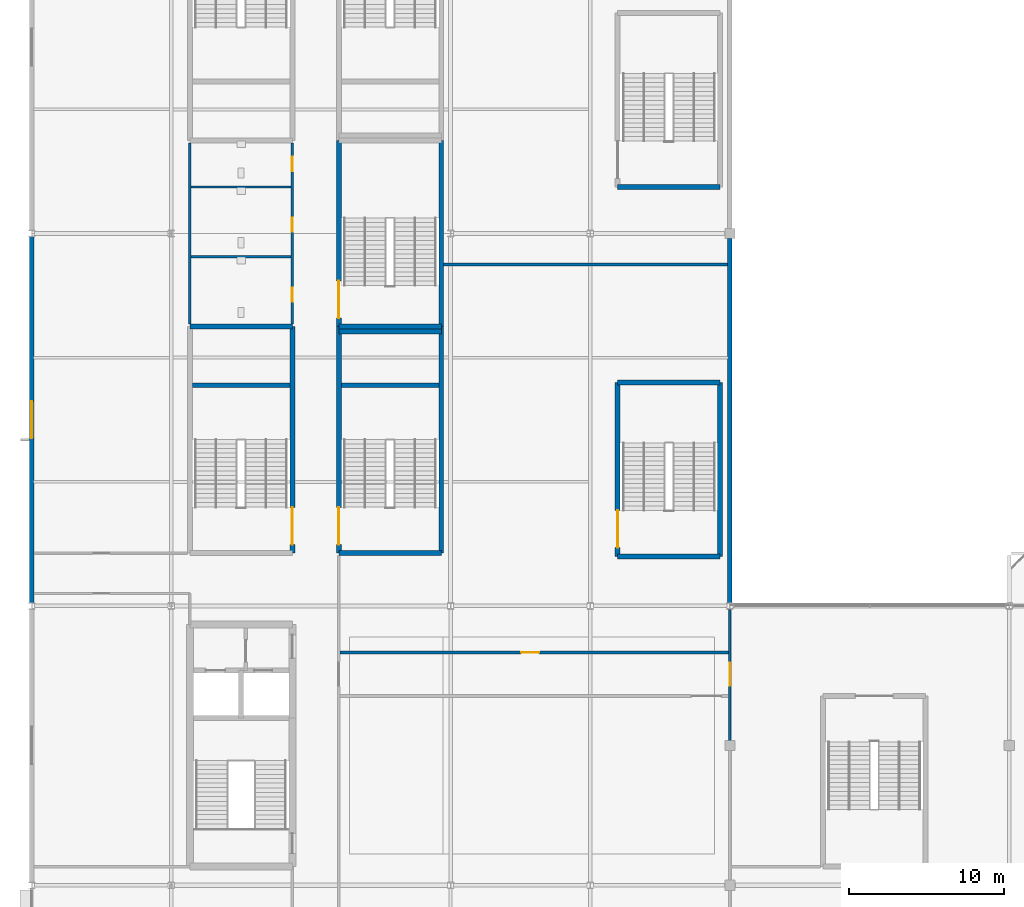
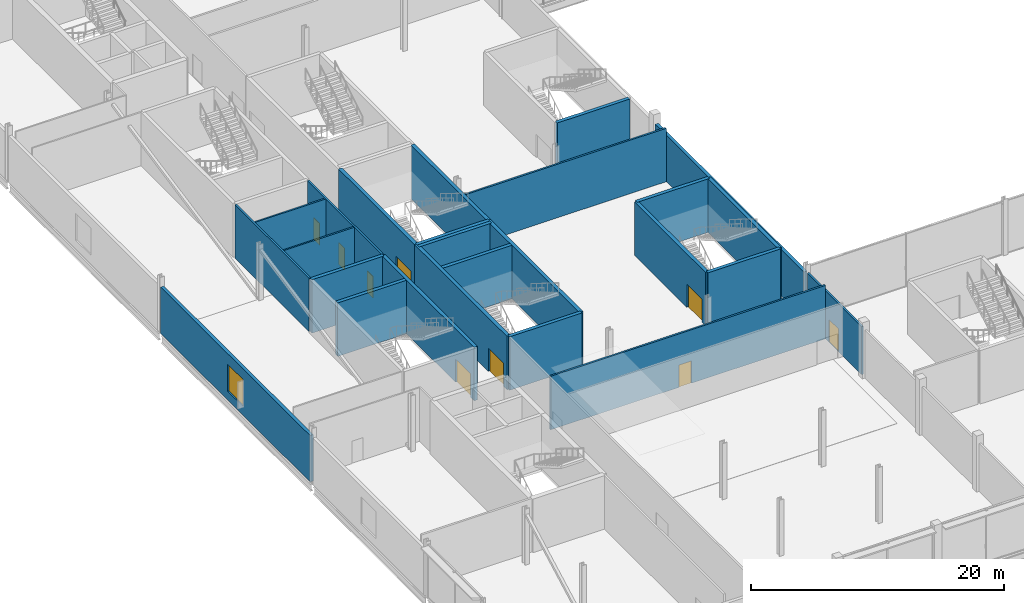
# One storey, part 64 of 113: 25 walls, 9 doors, 1 window, 10 openings.
"""IFC4 building model written with IfcOpenShell, lengths in metres."""

from ifc_helpers import new_model, si_unit, direction, frame, frame_2d, origin, place, context, subcontext, project, spatial, rectangle, extrude, material, layer, layer_set, type_object, element, fill, save


model = new_model("IFC4")

# Units and contexts
model_context = context("Model", 3, precision=1e-05, world=origin(), true_north=direction((0.0, 1.0)))
body_context = subcontext(model_context, "Body", "Model", "MODEL_VIEW")
ifc_project = project(units=[si_unit("LENGTHUNIT", "METRE"), si_unit("AREAUNIT", "SQUARE_METRE"), si_unit("VOLUMEUNIT", "CUBIC_METRE"), si_unit("PLANEANGLEUNIT", "RADIAN"), si_unit("MASSUNIT", "GRAM", prefix="KILO")], contexts=[model_context])

# Site, building, storey
site_placement = place(None, origin())
site = spatial("IfcSite", under=ifc_project, at=site_placement, CompositionType="ELEMENT")
building_placement = place(site_placement, origin())
building = spatial("IfcBuilding", under=site, at=building_placement, Name="Kisiwana Market Hall", CompositionType="ELEMENT")
storey_placement = place(building_placement, frame((0.0, 0.0, 6.0)))
storey = spatial("IfcBuildingStorey", under=building, at=storey_placement, Name="L01", CompositionType="ELEMENT", Elevation=6.0)

# Wall
ifc_material_1 = material(Name="Concrete C40/50", Category="concrete")
ifc_layer_1 = layer(ifc_material_1, 0.320068359375, Name="Reinforced concrete shaft wall")
ifc_layer_set_1 = layer_set([ifc_layer_1], Name="WL-CORE-320")
wall_type_1 = type_object("IfcWallType", Name="WL-CORE-320", PredefinedType="SHEAR", material=ifc_layer_set_1)
wall_1_placement = place(storey_placement, frame((10.199951171875, 54.0, 0.0), z_axis=(0.0, 0.0, 1.0), x_axis=(1.0, 0.0, 0.0)))
element("IfcWall", 1, at=wall_1_placement, inside=storey, type_object=wall_type_1, Name="Core W3 north shear wall W-0731", PredefinedType="SHEAR", context=body_context, shape_type="SweptSolid", body=[
    extrude(rectangle(XDim=6.60009765625, YDim=0.320068359375, at=frame_2d((3.300048828125, 0.0))), origin(), (0.0, 0.0, 1.0), 5.14990234375),
])

# Wall, opening, door
wall_2_placement = place(storey_placement, frame((16.800048828125, 39.39990234375, 0.0), z_axis=(0.0, 0.0, 1.0), x_axis=(0.0, 1.0, 0.0)))
wall_2 = element("IfcWall", 2, at=wall_2_placement, inside=storey, type_object=wall_type_1, Name="Core W3 corridor shear wall W-0733", PredefinedType="SHEAR", context=body_context, shape_type="SweptSolid", body=[
    extrude(rectangle(XDim=14.60009765625, YDim=0.320068359375, at=frame_2d((7.300048828125, 0.0))), origin(), (0.0, 0.0, 1.0), 5.14990234375),
])
opening_1_placement = place(wall_2_placement, frame((0.550048828125, 0.0, 0.0)))
opening_1 = element("IfcOpeningElement", 3, at=opening_1_placement, cuts=wall_2, Name="Opening DR-L01-019", PredefinedType="OPENING", context=body_context, shape_type="SweptSolid", body=[
    extrude(rectangle(XDim=2.39990234375, YDim=2.25, at=frame_2d((1.199951171875, 1.125))), frame((0.0, 0.171875, 0.0), z_axis=(0.0, -1.0, 0.0), x_axis=(1.0, 0.0, 0.0)), (0.0, 0.0, 1.0), 0.343994140625),
])
ifc_material_2 = material(Name="Steel S275", Category="steel")
door_type_1 = type_object("IfcDoorType", Name="DR-STAIR-FD120-2400", OperationType="DOUBLE_DOOR_SINGLE_SWING", PredefinedType="DOOR", material=ifc_material_2)
door_1_placement = place(opening_1_placement, origin())
door_1 = element("IfcDoor", 4, at=door_1_placement, inside=storey, type_object=door_type_1, Name="Escape Stair W3 Fire Door (L01)", OperationType="DOUBLE_DOOR_SINGLE_SWING", OverallHeight=2.25, OverallWidth=2.39990234375, PredefinedType="DOOR", context=body_context, shape_type="SweptSolid", body=[
    extrude(rectangle(XDim=2.39990234375, YDim=2.25, at=frame_2d((1.199951171875, 1.125))), frame((0.0, 0.02490234375, 0.0), z_axis=(0.0, -1.0, 0.0), x_axis=(1.0, 0.0, 0.0)), (0.0, 0.0, 1.0), 0.050048828125),
])
fill(opening_1, door_1)

# Walls
wall_3_placement = place(storey_placement, frame((10.360107421875, 50.219970703125, 0.0), z_axis=(0.0, 0.0, 1.0), x_axis=(1.0, 0.0, 0.0)))
element("IfcWall", 5, at=wall_3_placement, inside=storey, type_object=wall_type_1, Name="Core W3 riser divider shear wall W-0734", PredefinedType="SHEAR", context=body_context, shape_type="SweptSolid", body=[
    extrude(rectangle(XDim=6.27978515625, YDim=0.320068359375, at=frame_2d((3.139892578125, 0.0))), origin(), (0.0, 0.0, 1.0), 5.14990234375),
])
for number, where, z_axis, x_axis, name in (
    (6, (19.800048828125, 39.39990234375, 0.0), (0.0, 0.0, 1.0), (1.0, 0.0, 0.0), "Core W7 south shear wall W-0750"),
    (7, (19.800048828125, 54.0, 0.0), (0.0, 0.0, 1.0), (1.0, 0.0, 0.0), "Core W7 north shear wall W-0751"),
):
    element("IfcWall", number, at=place(storey_placement, frame(where, z_axis=z_axis, x_axis=x_axis)), inside=storey, type_object=wall_type_1, Name=name, PredefinedType="SHEAR", context=body_context, shape_type="SweptSolid", body=[
        extrude(rectangle(XDim=6.599853515625, YDim=0.320068359375, at=frame_2d((3.2998046875, 0.0))), origin(), (0.0, 0.0, 1.0), 5.14990234375),
    ])

# Wall, opening, door
wall_4_placement = place(storey_placement, frame((19.800048828125, 39.39990234375, 0.0), z_axis=(0.0, 0.0, 1.0), x_axis=(0.0, 1.0, 0.0)))
wall_4 = element("IfcWall", 8, at=wall_4_placement, inside=storey, type_object=wall_type_1, Name="Core W7 corridor shear wall W-0752", PredefinedType="SHEAR", context=body_context, shape_type="SweptSolid", body=[
    extrude(rectangle(XDim=14.60009765625, YDim=0.320068359375, at=frame_2d((7.300048828125, 0.0))), origin(), (0.0, 0.0, 1.0), 5.14990234375),
])
opening_2_placement = place(wall_4_placement, frame((0.550048828125, 0.0, 0.0)))
opening_2 = element("IfcOpeningElement", 9, at=opening_2_placement, cuts=wall_4, Name="Opening DR-L01-023", PredefinedType="OPENING", context=body_context, shape_type="SweptSolid", body=[
    extrude(rectangle(XDim=2.39990234375, YDim=2.25, at=frame_2d((1.199951171875, 1.125))), frame((0.0, 0.171875, 0.0), z_axis=(0.0, -1.0, 0.0), x_axis=(1.0, 0.0, 0.0)), (0.0, 0.0, 1.0), 0.343994140625),
])
door_2_placement = place(opening_2_placement, frame((2.39990234375, 0.0, 0.0), z_axis=(0.0, 0.0, 1.0), x_axis=(-1.0, 0.0, 0.0)))
door_2 = element("IfcDoor", 10, at=door_2_placement, inside=storey, type_object=door_type_1, Name="Escape Stair W7 Fire Door (L01)", OperationType="DOUBLE_DOOR_SINGLE_SWING", OverallHeight=2.25, OverallWidth=2.39990234375, PredefinedType="DOOR", context=body_context, shape_type="SweptSolid", body=[
    extrude(rectangle(XDim=2.39990234375, YDim=2.25, at=frame_2d((1.199951171875, 1.125))), frame((0.0, 0.02490234375, 0.0), z_axis=(0.0, -1.0, 0.0), x_axis=(1.0, 0.0, 0.0)), (0.0, 0.0, 1.0), 0.050048828125),
])
fill(opening_2, door_2)

# Walls
wall_5_placement = place(storey_placement, frame((26.39990234375, 39.39990234375, 0.0), z_axis=(0.0, 0.0, 1.0), x_axis=(0.0, 1.0, 0.0)))
element("IfcWall", 11, at=wall_5_placement, inside=storey, type_object=wall_type_1, Name="Core W7 outer shear wall W-0753", PredefinedType="SHEAR", context=body_context, shape_type="SweptSolid", body=[
    extrude(rectangle(XDim=14.60009765625, YDim=0.320068359375, at=frame_2d((7.300048828125, 0.0))), origin(), (0.0, 0.0, 1.0), 5.14990234375),
])
wall_6_placement = place(storey_placement, frame((19.9599609375, 50.219970703125, 0.0), z_axis=(0.0, 0.0, 1.0), x_axis=(1.0, 0.0, 0.0)))
element("IfcWall", 12, at=wall_6_placement, inside=storey, type_object=wall_type_1, Name="Core W7 riser divider shear wall W-0754", PredefinedType="SHEAR", context=body_context, shape_type="SweptSolid", body=[
    extrude(rectangle(XDim=6.280029296875, YDim=0.320068359375, at=frame_2d((3.14013671875, 0.0))), origin(), (0.0, 0.0, 1.0), 5.14990234375),
])
for number, where, z_axis, x_axis, name in (
    (13, (37.77001953125, 39.199951171875, 0.0), (0.0, 0.0, 1.0), (1.0, 0.0, 0.0), "Core W9 south shear wall W-0770"),
    (14, (37.77001953125, 50.39990234375, 0.0), (0.0, 0.0, 1.0), (1.0, 0.0, 0.0), "Core W9 north shear wall W-0771"),
):
    element("IfcWall", number, at=place(storey_placement, frame(where, z_axis=z_axis, x_axis=x_axis)), inside=storey, type_object=wall_type_1, Name=name, PredefinedType="SHEAR", context=body_context, shape_type="SweptSolid", body=[
        extrude(rectangle(XDim=6.60009765625, YDim=0.320068359375, at=frame_2d((3.300048828125, 0.0))), origin(), (0.0, 0.0, 1.0), 5.14990234375),
    ])

# Wall, opening, door
wall_7_placement = place(storey_placement, frame((37.77001953125, 39.199951171875, 0.0), z_axis=(0.0, 0.0, 1.0), x_axis=(0.0, 1.0, 0.0)))
wall_7 = element("IfcWall", 15, at=wall_7_placement, inside=storey, type_object=wall_type_1, Name="Core W9 corridor shear wall W-0772", PredefinedType="SHEAR", context=body_context, shape_type="SweptSolid", body=[
    extrude(rectangle(XDim=11.199951171875, YDim=0.320068359375, at=frame_2d((5.60009765625, 0.0))), origin(), (0.0, 0.0, 1.0), 5.14990234375),
])
opening_3_placement = place(wall_7_placement, frame((0.550048828125, 0.0, 0.0)))
opening_3 = element("IfcOpeningElement", 16, at=opening_3_placement, cuts=wall_7, Name="Opening DR-L01-027", PredefinedType="OPENING", context=body_context, shape_type="SweptSolid", body=[
    extrude(rectangle(XDim=2.39990234375, YDim=2.25, at=frame_2d((1.199951171875, 1.125))), frame((0.0, 0.171875, 0.0), z_axis=(0.0, -1.0, 0.0), x_axis=(1.0, 0.0, 0.0)), (0.0, 0.0, 1.0), 0.343994140625),
])
door_3_placement = place(opening_3_placement, frame((2.39990234375, 0.0, 0.0), z_axis=(0.0, 0.0, 1.0), x_axis=(-1.0, 0.0, 0.0)))
door_3 = element("IfcDoor", 17, at=door_3_placement, inside=storey, type_object=door_type_1, Name="Escape Stair W9 Fire Door (L01)", OperationType="DOUBLE_DOOR_SINGLE_SWING", OverallHeight=2.25, OverallWidth=2.39990234375, PredefinedType="DOOR", context=body_context, shape_type="SweptSolid", body=[
    extrude(rectangle(XDim=2.39990234375, YDim=2.25, at=frame_2d((1.199951171875, 1.125))), frame((0.0, 0.02490234375, 0.0), z_axis=(0.0, -1.0, 0.0), x_axis=(1.0, 0.0, 0.0)), (0.0, 0.0, 1.0), 0.050048828125),
])
fill(opening_3, door_3)

# Walls
wall_8_placement = place(storey_placement, frame((44.3701171875, 39.199951171875, 0.0), z_axis=(0.0, 0.0, 1.0), x_axis=(0.0, 1.0, 0.0)))
element("IfcWall", 18, at=wall_8_placement, inside=storey, type_object=wall_type_1, Name="Core W9 outer shear wall W-0773", PredefinedType="SHEAR", context=body_context, shape_type="SweptSolid", body=[
    extrude(rectangle(XDim=11.199951171875, YDim=0.320068359375, at=frame_2d((5.60009765625, 0.0))), origin(), (0.0, 0.0, 1.0), 5.14990234375),
])
wall_9_placement = place(storey_placement, frame((37.77001953125, 63.0, 0.0), z_axis=(0.0, 0.0, 1.0), x_axis=(1.0, 0.0, 0.0)))
element("IfcWall", 19, at=wall_9_placement, inside=storey, type_object=wall_type_1, Name="Core W10 south shear wall W-0778", PredefinedType="SHEAR", context=body_context, shape_type="SweptSolid", body=[
    extrude(rectangle(XDim=6.60009765625, YDim=0.320068359375, at=frame_2d((3.300048828125, 0.0))), origin(), (0.0, 0.0, 1.0), 5.14990234375),
])
wall_10_placement = place(storey_placement, frame((19.800048828125, 53.679931640625, 0.0), z_axis=(0.0, 0.0, 1.0), x_axis=(1.0, 0.0, 0.0)))
element("IfcWall", 20, at=wall_10_placement, inside=storey, type_object=wall_type_1, Name="Core W5 south shear wall W-0786", PredefinedType="SHEAR", context=body_context, shape_type="SweptSolid", body=[
    extrude(rectangle(XDim=6.599853515625, YDim=0.320068359375, at=frame_2d((3.2998046875, 0.0))), origin(), (0.0, 0.0, 1.0), 5.14990234375),
])

# Wall, opening, door
wall_11_placement = place(storey_placement, frame((19.800048828125, 54.0, 0.0), z_axis=(0.0, 0.0, 1.0), x_axis=(0.0, 1.0, 0.0)))
wall_11 = element("IfcWall", 21, at=wall_11_placement, inside=storey, type_object=wall_type_1, Name="Core W5 corridor shear wall W-0788", PredefinedType="SHEAR", context=body_context, shape_type="SweptSolid", body=[
    extrude(rectangle(XDim=12.0, YDim=0.320068359375, at=frame_2d((6.0, 0.0))), origin(), (0.0, 0.0, 1.0), 5.14990234375),
])
opening_4_placement = place(wall_11_placement, frame((0.550048828125, 0.0, 0.0)))
opening_4 = element("IfcOpeningElement", 22, at=opening_4_placement, cuts=wall_11, Name="Opening DR-L01-031", PredefinedType="OPENING", context=body_context, shape_type="SweptSolid", body=[
    extrude(rectangle(XDim=2.39990234375, YDim=2.25, at=frame_2d((1.199951171875, 1.125))), frame((0.0, 0.171875, 0.0), z_axis=(0.0, -1.0, 0.0), x_axis=(1.0, 0.0, 0.0)), (0.0, 0.0, 1.0), 0.343994140625),
])
door_4_placement = place(opening_4_placement, frame((2.39990234375, 0.0, 0.0), z_axis=(0.0, 0.0, 1.0), x_axis=(-1.0, 0.0, 0.0)))
door_4 = element("IfcDoor", 23, at=door_4_placement, inside=storey, type_object=door_type_1, Name="Escape Stair W5 Fire Door (L01)", OperationType="DOUBLE_DOOR_SINGLE_SWING", OverallHeight=2.25, OverallWidth=2.39990234375, PredefinedType="DOOR", context=body_context, shape_type="SweptSolid", body=[
    extrude(rectangle(XDim=2.39990234375, YDim=2.25, at=frame_2d((1.199951171875, 1.125))), frame((0.0, 0.02490234375, 0.0), z_axis=(0.0, -1.0, 0.0), x_axis=(1.0, 0.0, 0.0)), (0.0, 0.0, 1.0), 0.050048828125),
])
fill(opening_4, door_4)

# Walls
wall_12_placement = place(storey_placement, frame((26.39990234375, 54.0, 0.0), z_axis=(0.0, 0.0, 1.0), x_axis=(0.0, 1.0, 0.0)))
element("IfcWall", 24, at=wall_12_placement, inside=storey, type_object=wall_type_1, Name="Core W5 outer shear wall W-0789", PredefinedType="SHEAR", context=body_context, shape_type="SweptSolid", body=[
    extrude(rectangle(XDim=12.0, YDim=0.320068359375, at=frame_2d((6.0, 0.0))), origin(), (0.0, 0.0, 1.0), 5.14990234375),
])
ifc_material_3 = material(Name="Masonry blockwork", Category="masonry")
ifc_layer_2 = layer(ifc_material_3, 0.169921875, Name="Protected corridor partition")
ifc_layer_set_2 = layer_set([ifc_layer_2], Name="WL-CORR-170")
wall_type_2 = type_object("IfcWallType", Name="WL-CORR-170", PredefinedType="PARTITIONING", material=ifc_layer_set_2)
wall_13_placement = place(storey_placement, frame((10.199951171875, 54.159912109375, 0.0), z_axis=(0.0, 0.0, 1.0), x_axis=(0.0, 1.0, 0.0)))
element("IfcWall", 25, at=wall_13_placement, inside=storey, type_object=wall_type_2, Name="Interior partition W-0846", PredefinedType="PARTITIONING", context=body_context, shape_type="SweptSolid", body=[
    extrude(rectangle(XDim=11.68017578125, YDim=0.169921875, at=frame_2d((5.840087890625, 0.0))), origin(), (0.0, 0.0, 1.0), 5.14990234375),
])

# Wall, openings, doors
wall_14_placement = place(storey_placement, frame((16.800048828125, 54.159912109375, 0.0), z_axis=(0.0, 0.0, 1.0), x_axis=(0.0, 1.0, 0.0)))
wall_14 = element("IfcWall", 26, at=wall_14_placement, inside=storey, type_object=wall_type_2, Name="Interior partition W-0847", PredefinedType="PARTITIONING", context=body_context, shape_type="SweptSolid", body=[
    extrude(rectangle(XDim=11.68017578125, YDim=0.169921875, at=frame_2d((5.840087890625, 0.0))), origin(), (0.0, 0.0, 1.0), 5.14990234375),
])
opening_5_placement = place(wall_14_placement, frame((1.43994140625, 0.0, 0.0)))
opening_5 = element("IfcOpeningElement", 27, at=opening_5_placement, cuts=wall_14, Name="Opening DR-L01-041", PredefinedType="OPENING", context=body_context, shape_type="SweptSolid", body=[
    extrude(rectangle(XDim=0.89990234375, YDim=2.10009765625, at=frame_2d((0.449951171875, 1.050048828125))), frame((0.0, 0.096923828125, 0.0), z_axis=(0.0, -1.0, 0.0), x_axis=(1.0, 0.0, 0.0)), (0.0, 0.0, 1.0), 0.19384765625),
])
opening_6_placement = place(wall_14_placement, frame((5.93994140625, 0.0, 0.0)))
opening_6 = element("IfcOpeningElement", 28, at=opening_6_placement, cuts=wall_14, Name="Opening DR-L01-042", PredefinedType="OPENING", context=body_context, shape_type="SweptSolid", body=[
    extrude(rectangle(XDim=0.89990234375, YDim=2.10009765625, at=frame_2d((0.449951171875, 1.050048828125))), frame((0.0, 0.096923828125, 0.0), z_axis=(0.0, -1.0, 0.0), x_axis=(1.0, 0.0, 0.0)), (0.0, 0.0, 1.0), 0.19384765625),
])
opening_7_placement = place(wall_14_placement, frame((9.840087890625, 0.0, 0.0)))
opening_7 = element("IfcOpeningElement", 29, at=opening_7_placement, cuts=wall_14, Name="Opening DR-L01-043", PredefinedType="OPENING", context=body_context, shape_type="SweptSolid", body=[
    extrude(rectangle(XDim=0.949951171875, YDim=2.10009765625, at=frame_2d((0.47509765625, 1.050048828125))), frame((0.0, 0.096923828125, 0.0), z_axis=(0.0, -1.0, 0.0), x_axis=(1.0, 0.0, 0.0)), (0.0, 0.0, 1.0), 0.19384765625),
])
ifc_material_4 = material(Name="Aluminium alloy 6063-T6", Category="aluminium")
door_type_2 = type_object("IfcDoorType", Name="DR-WC-ACC-950", OperationType="NOTDEFINED", PredefinedType="DOOR", material=ifc_material_4)
door_5_placement = place(opening_7_placement, origin())
door_5 = element("IfcDoor", 30, at=door_5_placement, inside=storey, type_object=door_type_2, Name="L01 W Accessible WC Door", OperationType="SINGLE_SWING_RIGHT", OverallHeight=2.10009765625, OverallWidth=0.949951171875, PredefinedType="DOOR", context=body_context, shape_type="SweptSolid", body=[
    extrude(rectangle(XDim=0.949951171875, YDim=2.10009765625, at=frame_2d((0.47509765625, 1.050048828125))), frame((0.0, 0.02490234375, 0.0), z_axis=(0.0, -1.0, 0.0), x_axis=(1.0, 0.0, 0.0)), (0.0, 0.0, 1.0), 0.050048828125),
])
fill(opening_7, door_5)
ifc_material_5 = material(Name="Aluminium alloy 6063-T6", Category="aluminium")
door_type_3 = type_object("IfcDoorType", Name="DR-WC-STD-900", OperationType="NOTDEFINED", PredefinedType="DOOR", material=ifc_material_5)
door_6_placement = place(opening_5_placement, origin())
door_6 = element("IfcDoor", 31, at=door_6_placement, inside=storey, type_object=door_type_3, Name="L01 W Male Toilet Door", OperationType="SINGLE_SWING_LEFT", OverallHeight=2.10009765625, OverallWidth=0.89990234375, PredefinedType="DOOR", context=body_context, shape_type="SweptSolid", body=[
    extrude(rectangle(XDim=0.89990234375, YDim=2.10009765625, at=frame_2d((0.449951171875, 1.050048828125))), frame((0.0, 0.02490234375, 0.0), z_axis=(0.0, -1.0, 0.0), x_axis=(1.0, 0.0, 0.0)), (0.0, 0.0, 1.0), 0.050048828125),
])
fill(opening_5, door_6)
door_7_placement = place(opening_6_placement, origin())
door_7 = element("IfcDoor", 32, at=door_7_placement, inside=storey, type_object=door_type_3, Name="L01 W Female Toilet Door", OperationType="SINGLE_SWING_RIGHT", OverallHeight=2.10009765625, OverallWidth=0.89990234375, PredefinedType="DOOR", context=body_context, shape_type="SweptSolid", body=[
    extrude(rectangle(XDim=0.89990234375, YDim=2.10009765625, at=frame_2d((0.449951171875, 1.050048828125))), frame((0.0, 0.02490234375, 0.0), z_axis=(0.0, -1.0, 0.0), x_axis=(1.0, 0.0, 0.0)), (0.0, 0.0, 1.0), 0.050048828125),
])
fill(opening_6, door_7)

# Wall, opening, door
wall_15_placement = place(storey_placement, frame((19.885009765625, 33.0, 0.0), z_axis=(0.0, 0.0, 1.0), x_axis=(1.0, 0.0, 0.0)))
wall_15 = element("IfcWall", 33, at=wall_15_placement, inside=storey, type_object=wall_type_2, Name="Interior partition W-0861", PredefinedType="PARTITIONING", context=body_context, shape_type="SweptSolid", body=[
    extrude(rectangle(XDim=25.030029296875, YDim=0.169921875, at=frame_2d((12.51513671875, 0.0))), origin(), (0.0, 0.0, 1.0), 5.14990234375),
])
opening_8_placement = place(wall_15_placement, frame((11.6650390625, 0.0, 0.0)))
opening_8 = element("IfcOpeningElement", 34, at=opening_8_placement, cuts=wall_15, Name="Opening DR-L01-050", PredefinedType="OPENING", context=body_context, shape_type="SweptSolid", body=[
    extrude(rectangle(XDim=1.14990234375, YDim=2.14990234375, at=frame_2d((0.574951171875, 1.074951171875))), frame((0.0, 0.096923828125, 0.0), z_axis=(0.0, -1.0, 0.0), x_axis=(1.0, 0.0, 0.0)), (0.0, 0.0, 1.0), 0.19384765625),
])
ifc_material_6 = material(Name="Aluminium alloy 6063-T6", Category="aluminium")
door_type_4 = type_object("IfcDoorType", Name="DR-MEET-1150", OperationType="NOTDEFINED", PredefinedType="DOOR", material=ifc_material_6)
door_8_placement = place(opening_8_placement, origin())
door_8 = element("IfcDoor", 35, at=door_8_placement, inside=storey, type_object=door_type_4, Name="L01 W Hawker Culinary Gallery Door", OperationType="SINGLE_SWING_LEFT", OverallHeight=2.14990234375, OverallWidth=1.14990234375, PredefinedType="DOOR", context=body_context, shape_type="SweptSolid", body=[
    extrude(rectangle(XDim=1.14990234375, YDim=2.14990234375, at=frame_2d((0.574951171875, 1.074951171875))), frame((0.0, 0.02490234375, 0.0), z_axis=(0.0, -1.0, 0.0), x_axis=(1.0, 0.0, 0.0)), (0.0, 0.0, 1.0), 0.050048828125),
])
fill(opening_8, door_8)

# Wall
wall_16_placement = place(storey_placement, frame((26.56005859375, 58.0, 0.0), z_axis=(0.0, 0.0, 1.0), x_axis=(1.0, 0.0, 0.0)))
element("IfcWall", 36, at=wall_16_placement, inside=storey, type_object=wall_type_2, Name="Interior partition W-0862", PredefinedType="PARTITIONING", context=body_context, shape_type="SweptSolid", body=[
    extrude(rectangle(XDim=18.282470703125, YDim=0.169921875, at=frame_2d((9.14111328125, 0.0))), origin(), (0.0, 0.0, 1.0), 5.14990234375),
])

# Wall, opening, door
wall_17_placement = place(storey_placement, frame((45.0, 27.219970703125, 0.0), z_axis=(0.0, 0.0, 1.0), x_axis=(0.0, 1.0, 0.0)))
wall_17 = element("IfcWall", 37, at=wall_17_placement, inside=storey, type_object=wall_type_2, Name="Interior partition W-0869", PredefinedType="PARTITIONING", context=body_context, shape_type="SweptSolid", body=[
    extrude(rectangle(XDim=8.56005859375, YDim=0.169921875, at=frame_2d((4.280029296875, 0.0))), origin(), (0.0, 0.0, 1.0), 4.616943359375),
])
opening_9_placement = place(wall_17_placement, frame((3.6298828125, 0.0, 0.0)))
opening_9 = element("IfcOpeningElement", 38, at=opening_9_placement, cuts=wall_17, Name="Opening DR-L01-057", PredefinedType="OPENING", context=body_context, shape_type="SweptSolid", body=[
    extrude(rectangle(XDim=1.5, YDim=2.199951171875, at=frame_2d((0.75, 1.10009765625))), frame((0.0, 0.096923828125, 0.0), z_axis=(0.0, -1.0, 0.0), x_axis=(1.0, 0.0, 0.0)), (0.0, 0.0, 1.0), 0.19384765625),
])
ifc_material_7 = material(Name="Steel S275", Category="steel")
door_type_5 = type_object("IfcDoorType", Name="DR-CORR-FD60-1500", OperationType="DOUBLE_DOOR_SINGLE_SWING", PredefinedType="DOOR", material=ifc_material_7)
door_9_placement = place(opening_9_placement, origin())
door_9 = element("IfcDoor", 39, at=door_9_placement, inside=storey, type_object=door_type_5, Name="L01 W South Spine Link Door", OperationType="DOUBLE_DOOR_SINGLE_SWING", OverallHeight=2.199951171875, OverallWidth=1.5, PredefinedType="DOOR", context=body_context, shape_type="SweptSolid", body=[
    extrude(rectangle(XDim=1.5, YDim=2.199951171875, at=frame_2d((0.75, 1.10009765625))), frame((0.0, 0.02490234375, 0.0), z_axis=(0.0, -1.0, 0.0), x_axis=(1.0, 0.0, 0.0)), (0.0, 0.0, 1.0), 0.050048828125),
])
fill(opening_9, door_9)

# Wall, opening, window
ifc_material_8 = material(Name="Masonry blockwork", Category="masonry")
ifc_layer_3 = layer(ifc_material_8, 0.139892578125, Name="Rendered masonry outer leaf")
ifc_material_9 = material(Name="Mineral wool insulation")
ifc_layer_4 = layer(ifc_material_9, 0.074951171875, Name="Mineral wool cavity insulation")
ifc_material_10 = material(Name="Gypsum plasterboard")
ifc_layer_5 = layer(ifc_material_10, 0.074951171875, Name="Calcium silicate inner lining")
ifc_layer_set_3 = layer_set([ifc_layer_3, ifc_layer_4, ifc_layer_5], Name="WL-EXT-MAS-290")
wall_type_3 = type_object("IfcWallType", Name="WL-EXT-MAS-290", PredefinedType="STANDARD", material=ifc_layer_set_3)
wall_18_placement = place(storey_placement, frame((0.0, 36.198486328125, 0.0), z_axis=(0.0, 0.0, 1.0), x_axis=(0.0, 1.0, 0.0)))
wall_18 = element("IfcWall", 40, at=wall_18_placement, inside=storey, type_object=wall_type_3, Name="Exterior wall W-0831", PredefinedType="STANDARD", context=body_context, shape_type="SweptSolid", body=[
    extrude(rectangle(XDim=23.60302734375, YDim=0.2900390625, at=frame_2d((11.801513671875, 0.0))), origin(), (0.0, 0.0, 1.0), 4.466552734375),
])
opening_10_placement = place(wall_18_placement, frame((10.6015625, 0.0, 0.85009765625)))
opening_10 = element("IfcOpeningElement", 41, at=opening_10_placement, cuts=wall_18, Name="Opening WN-11", PredefinedType="OPENING", context=body_context, shape_type="SweptSolid", body=[
    extrude(rectangle(XDim=2.39990234375, YDim=2.60009765625, at=frame_2d((1.199951171875, 1.300048828125))), frame((0.0, 0.156982421875, 0.0), z_axis=(0.0, -1.0, 0.0), x_axis=(1.0, 0.0, 0.0)), (0.0, 0.0, 1.0), 0.31396484375),
])
ifc_material_11 = material(Name="Double-glazed solar-control low-E IGU", Category="glass")
window_type = type_object("IfcWindowType", Name="WN-POD-2400x2600", PartitioningType="SINGLE_PANEL", PredefinedType="WINDOW", material=ifc_material_11)
window_placement = place(opening_10_placement, origin())
window = element("IfcWindow", 42, at=window_placement, inside=storey, type_object=window_type, Name="Exterior window WN-018", OverallHeight=2.60009765625, OverallWidth=2.39990234375, PartitioningType="SINGLE_PANEL", PredefinedType="WINDOW", context=body_context, shape_type="SweptSolid", body=[
    extrude(rectangle(XDim=2.39990234375, YDim=2.60009765625, at=frame_2d((1.199951171875, 1.300048828125))), frame((0.0, 0.030029296875, 0.0), z_axis=(0.0, -1.0, 0.0), x_axis=(1.0, 0.0, 0.0)), (0.0, 0.0, 1.0), 0.06005859375),
])
fill(opening_10, window)

# Walls
wall_19_placement = place(storey_placement, frame((45.0, 36.198486328125, 0.0), z_axis=(0.0, 0.0, 1.0), x_axis=(0.0, 1.0, 0.0)))
element("IfcWall", 43, at=wall_19_placement, inside=storey, type_object=wall_type_3, Name="Exterior wall W-0834", PredefinedType="STANDARD", context=body_context, shape_type="SweptSolid", body=[
    extrude(rectangle(XDim=23.484619140625, YDim=0.2900390625, at=frame_2d((11.7421875, 0.0))), origin(), (0.0, 0.0, 1.0), 4.466552734375),
])
ifc_material_12 = material(Name="Masonry blockwork", Category="masonry")
ifc_layer_6 = layer(ifc_material_12, 0.14990234375, Name="Water-resistant sanitary block wall")
ifc_layer_set_4 = layer_set([ifc_layer_6], Name="WL-WET-150")
wall_type_4 = type_object("IfcWallType", Name="WL-WET-150", PredefinedType="PARTITIONING", material=ifc_layer_set_4)
for number, where, z_axis, x_axis, name in (
    (44, (10.284912109375, 58.5, 0.0), (0.0, 0.0, 1.0), (1.0, 0.0, 0.0), "Interior partition W-0848"),
    (45, (10.284912109375, 63.0, 0.0), (0.0, 0.0, 1.0), (1.0, 0.0, 0.0), "Interior partition W-0849"),
):
    element("IfcWall", number, at=place(storey_placement, frame(where, z_axis=z_axis, x_axis=x_axis)), inside=storey, type_object=wall_type_4, Name=name, PredefinedType="PARTITIONING", context=body_context, shape_type="SweptSolid", body=[
        extrude(rectangle(XDim=6.43017578125, YDim=0.14990234375, at=frame_2d((3.215087890625, 0.0))), origin(), (0.0, 0.0, 1.0), 5.14990234375),
    ])

save(model, "model.ifc")
